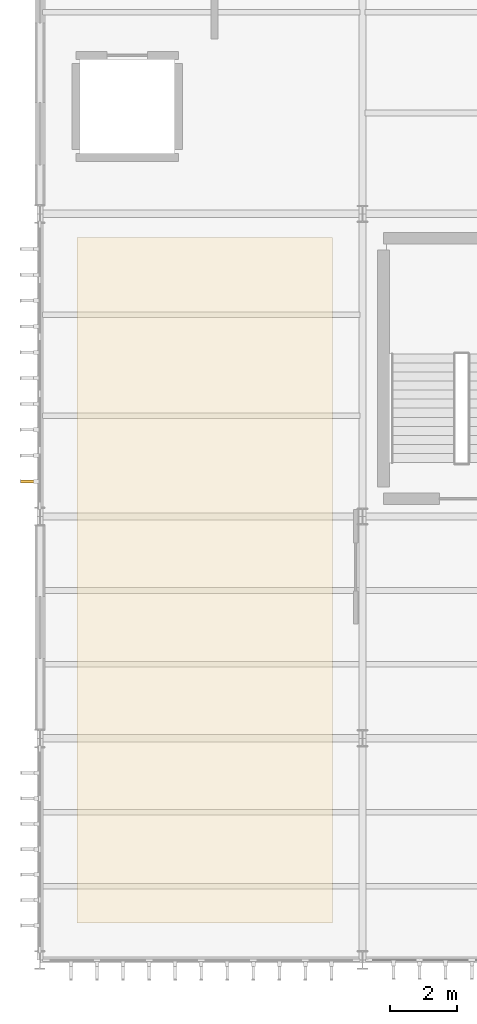
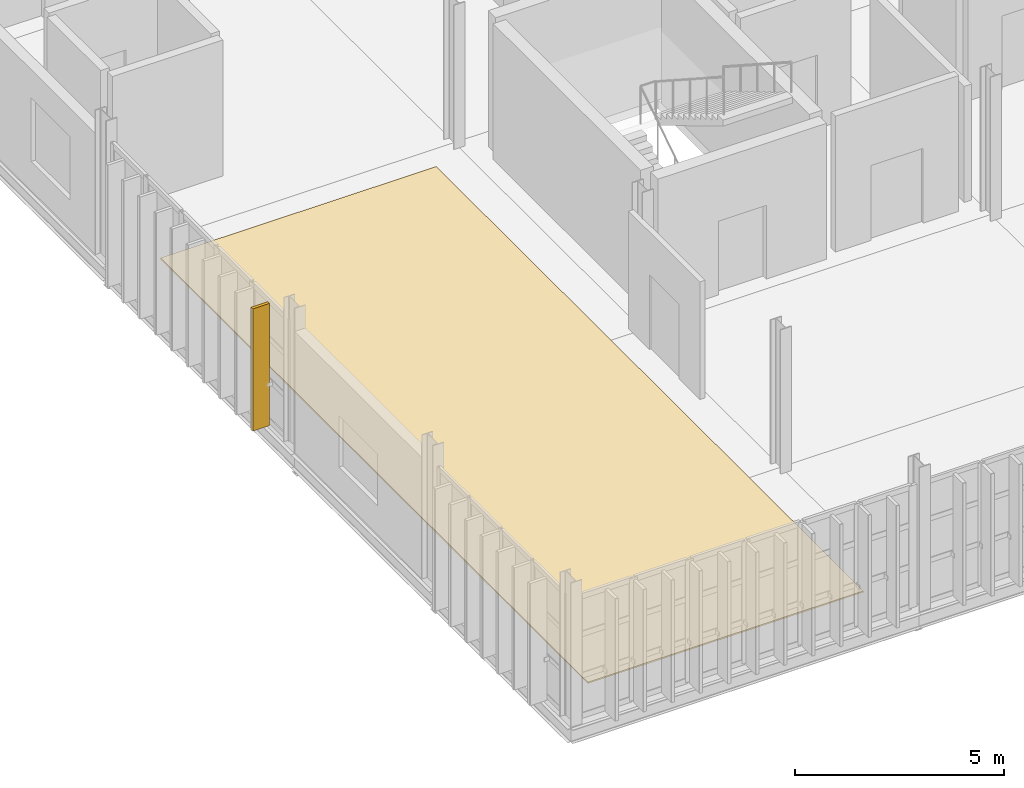
# One storey, part 39 of 52: 1 covering, 1 shading device.
"""IFC4 building model written with IfcOpenShell, lengths in metres."""

from ifc_helpers import new_model, si_unit, direction, frame, origin, origin_2d, place, context, subcontext, project, spatial, polyline, rectangle, outline, extrude, material, layer, layer_set, type_object, element, save


model = new_model("IFC4")

# Units and contexts
model_context = context("Model", 3, precision=1e-05, world=origin(), true_north=direction((0.0, 1.0)))
body_context = subcontext(model_context, "Body", "Model", "MODEL_VIEW")
ifc_project = project(units=[si_unit("LENGTHUNIT", "METRE"), si_unit("AREAUNIT", "SQUARE_METRE"), si_unit("VOLUMEUNIT", "CUBIC_METRE"), si_unit("PLANEANGLEUNIT", "RADIAN"), si_unit("MASSUNIT", "GRAM", prefix="KILO")], contexts=[model_context])

# Site, building, storey
site_placement = place(None, origin())
site = spatial("IfcSite", under=ifc_project, at=site_placement, CompositionType="ELEMENT")
building_placement = place(site_placement, origin())
building = spatial("IfcBuilding", under=site, at=building_placement, Name="Zarnetskaya Central Station", CompositionType="ELEMENT")
storey_placement = place(building_placement, frame((0.0, 0.0, 14.39990234375)))
storey = spatial("IfcBuildingStorey", under=building, at=storey_placement, Name="L03", CompositionType="ELEMENT", Elevation=14.39990234375)

# Covering
ifc_material_1 = material(Name="Granite stone flooring", Category="masonry")
ifc_layer = layer(ifc_material_1, 0.0400390625, Name="Granite stone flooring", Category="masonry")
ifc_layer_set = layer_set([ifc_layer], Name="Granite stone flooring")
covering_type = type_object("IfcCoveringType", Name="COV-GRAN-FLR", PredefinedType="FLOORING", material=ifc_layer_set)
covering_placement = place(storey_placement, origin())
element("IfcCovering", 1, at=covering_placement, inside=storey, type_object=covering_type, Name="Granite terrazzo floor finish L03-515", PredefinedType="FLOORING", context=body_context, shape_type="SweptSolid", body=[
    extrude(outline(polyline([(1.10009765625, 1.10009765625), (8.699951171875, 1.10009765625), (8.699951171875, 21.5), (1.10009765625, 21.5), (1.10009765625, 1.10009765625)])), origin(), (0.0, 0.0, 1.0), 0.0400390625),
])

# Shading device
ifc_material_2 = material(Name="Larch glulam GL28h", Category="wood")
shading_device_type = type_object("IfcShadingDeviceType", Name="SHD-LARCH-FIN-B", PredefinedType="USERDEFINED", material=ifc_material_2)
shading_device_placement = place(storey_placement, frame((-0.340087890625, 14.2431640625, 0.0), z_axis=(0.0, 0.0, 1.0), x_axis=(0.0, 1.0, 0.0)))
element("IfcShadingDevice", 2, at=shading_device_placement, inside=storey, type_object=shading_device_type, Name="Vertical larch timber fin CW-L03-032-01", ObjectType="TIMBER FIN", PredefinedType="USERDEFINED", context=body_context, shape_type="SweptSolid", body=[
    extrude(rectangle(XDim=0.0849609375, YDim=0.4599609375, at=origin_2d()), origin(), (0.0, 0.0, 1.0), 3.56005859375),
])

save(model, "model.ifc")
